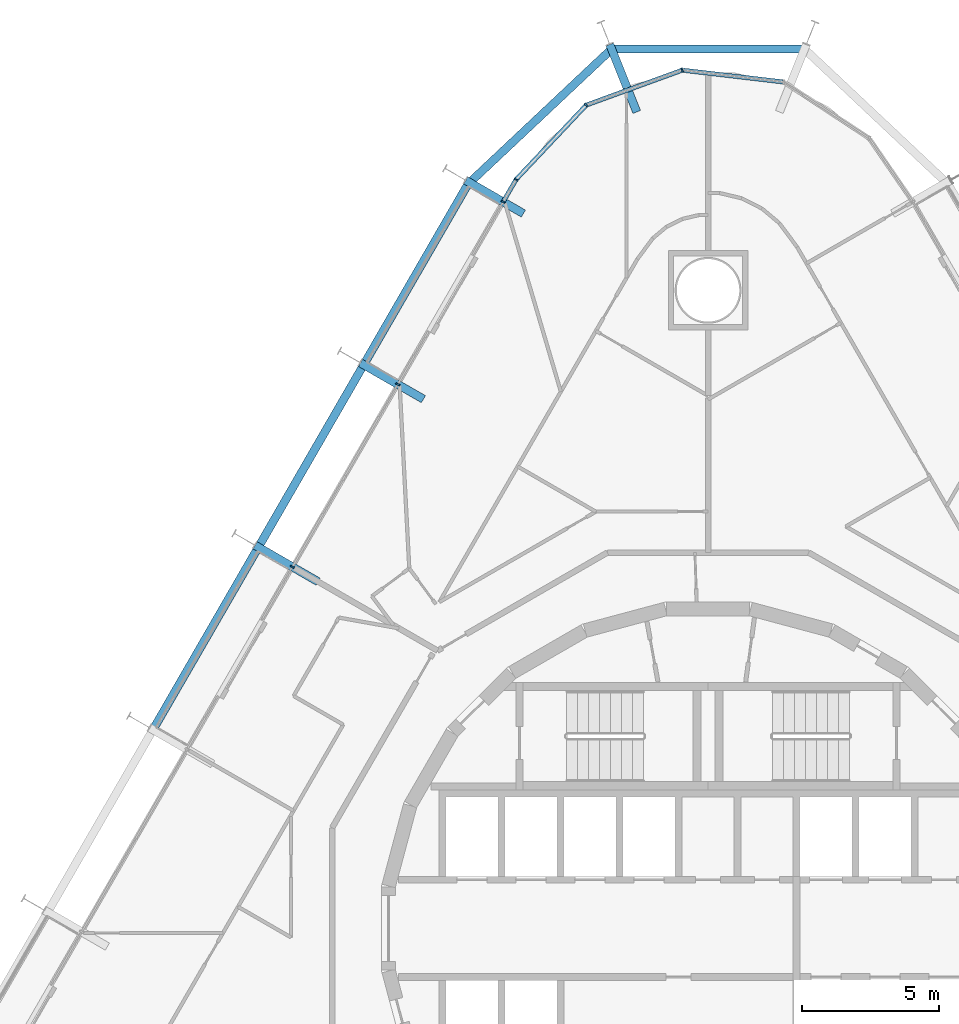
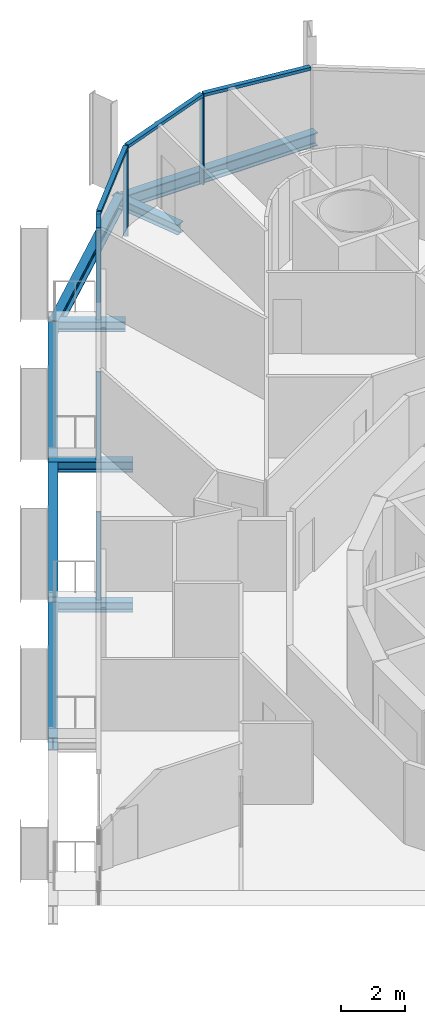
# One storey, part 9 of 21: 10 members, 9 beams, 2 elements without a shape of their own.
"""IFC4 building model written with IfcOpenShell, lengths in metres."""

from ifc_helpers import new_model, si_unit, direction, frame, origin, origin_2d, place, context, subcontext, project, spatial, rectangle, i_section, extrude, material, layer, layer_set, material_profile, profile_set, type_object, element, aggregate, save


model = new_model("IFC4")

# Units and contexts
model_context = context("Model", 3, precision=1e-05, world=origin(), true_north=direction((0.0, 1.0)))
body_context = subcontext(model_context, "Body", "Model", "MODEL_VIEW")
ifc_project = project(units=[si_unit("LENGTHUNIT", "METRE"), si_unit("AREAUNIT", "SQUARE_METRE"), si_unit("VOLUMEUNIT", "CUBIC_METRE"), si_unit("PLANEANGLEUNIT", "RADIAN"), si_unit("MASSUNIT", "GRAM", prefix="KILO")], contexts=[model_context])

# Site, building, storey
site_placement = place(None, origin())
site = spatial("IfcSite", under=ifc_project, at=site_placement, CompositionType="ELEMENT")
building_placement = place(site_placement, origin())
building = spatial("IfcBuilding", under=site, at=building_placement, Name="Spindle Arch Residences", CompositionType="ELEMENT")
storey_placement = place(building_placement, frame((0.0, 0.0, 48.89990234375)))
storey = spatial("IfcBuildingStorey", under=building, at=storey_placement, Name="L10", CompositionType="ELEMENT", Elevation=48.89990234375)

# Curtain wall, members
ifc_material_1 = material(Name="Aluminium bronze unitised frame with tinted glass", Category="aluminium")
ifc_layer_1 = layer(ifc_material_1, 0.159912109375)
ifc_layer_set_1 = layer_set([ifc_layer_1], Name="CW-D corner wall on the fillet arcs")
curtain_wall_type_1 = type_object("IfcCurtainWallType", Name="CW-D corner wall on the fillet arcs", PredefinedType="NOTDEFINED", material=ifc_layer_set_1)
curtain_wall_1_placement = place(storey_placement, origin())
curtain_wall_1 = element("IfcCurtainWall", 1, at=curtain_wall_1_placement, inside=storey, type_object=curtain_wall_type_1, Name="CW-D L10 run 3", PredefinedType="NOTDEFINED")
ifc_material_2 = material(Name="Aluminium bronze anodised mullion", Category="aluminium")
ifc_material_profile_1 = material_profile(ifc_material_2, rectangle(XDim=0.159912109375, YDim=0.06005859375, at=origin_2d()), Name="MU 60x160")
ifc_profile_set_1 = profile_set([ifc_material_profile_1], Name="Aluminium bronze anodised mullion")
member_type_1 = type_object("IfcMemberType", Name="Bronze mullion 60x160", PredefinedType="MULLION", material=ifc_profile_set_1)
member_1_placement = place(storey_placement, frame((-0.93798828125, 31.28515625, -0.3798828125), z_axis=(0.0, 0.0, 1.0), x_axis=(0.342020141538, -0.939692621437, 0.0)))
member_1 = element("IfcMember", 2, at=member_1_placement, type_object=member_type_1, Name="CW-D mullion 03", PredefinedType="MULLION", context=body_context, shape_type="SweptSolid", body=[
    extrude(rectangle(XDim=0.159912109375, YDim=0.06005859375, at=origin_2d()), origin(), (0.0, 0.0, 1.0), 3.3798828125),
])
member_2_placement = place(storey_placement, frame((-4.43994140625, 30.010498046875, -0.3798828125), z_axis=(0.0, 0.0, 1.0), x_axis=(0.727373640284, -0.686241639236, 0.0)))
member_2 = element("IfcMember", 3, at=member_2_placement, type_object=member_type_1, Name="CW-D mullion 04", PredefinedType="MULLION", context=body_context, shape_type="SweptSolid", body=[
    extrude(rectangle(XDim=0.159912109375, YDim=0.06005859375, at=origin_2d()), origin(), (0.0, 0.0, 1.0), 3.3798828125),
])
member_3_placement = place(storey_placement, frame((-6.99755859375, 27.2998046875, -0.3798828125), z_axis=(0.0, 0.0, 1.0), x_axis=(0.866025403784, -0.5, 0.0)))
member_3 = element("IfcMember", 4, at=member_3_placement, type_object=member_type_1, Name="CW-D mullion 05", PredefinedType="MULLION", context=body_context, shape_type="SweptSolid", body=[
    extrude(rectangle(XDim=0.159912109375, YDim=0.06005859375, at=origin_2d()), origin(), (0.0, 0.0, 1.0), 3.3798828125),
])

ifc_material_3 = material(Name="Aluminium bronze unitised frame with tinted glass", Category="aluminium")
ifc_layer_2 = layer(ifc_material_3, 0.159912109375)
ifc_layer_set_2 = layer_set([ifc_layer_2], Name="CW-C typical residential unitised wall")
curtain_wall_type_2 = type_object("IfcCurtainWallType", Name="CW-C typical residential unitised wall", PredefinedType="NOTDEFINED", material=ifc_layer_set_2)
curtain_wall_2_placement = place(storey_placement, origin())
curtain_wall_2 = element("IfcCurtainWall", 5, at=curtain_wall_2_placement, inside=storey, type_object=curtain_wall_type_2, Name="CW-C L10 run 4", PredefinedType="NOTDEFINED")
member_4_placement = place(storey_placement, frame((-7.46923828125, 26.48291015625, -0.3798828125), z_axis=(0.0, 0.0, 1.0), x_axis=(0.866025403784, -0.5, 0.0)))
member_4 = element("IfcMember", 6, at=member_4_placement, type_object=member_type_1, Name="CW-C mullion 13", PredefinedType="MULLION", context=body_context, shape_type="SweptSolid", body=[
    extrude(rectangle(XDim=0.159912109375, YDim=0.06005859375, at=origin_2d()), origin(), (0.0, 0.0, 1.0), 3.3798828125),
])
member_5_placement = place(storey_placement, frame((-11.309326171875, 19.83154296875, -0.3798828125), z_axis=(0.0, 0.0, 1.0), x_axis=(0.866025403784, -0.5, 0.0)))
member_5 = element("IfcMember", 7, at=member_5_placement, type_object=member_type_1, Name="CW-C mullion 14", PredefinedType="MULLION", context=body_context, shape_type="SweptSolid", body=[
    extrude(rectangle(XDim=0.159912109375, YDim=0.06005859375, at=origin_2d()), origin(), (0.0, 0.0, 1.0), 3.3798828125),
])
member_6_placement = place(storey_placement, frame((-15.149169921875, 13.180419921875, -0.3798828125), z_axis=(0.0, 0.0, 1.0), x_axis=(0.866025403784, -0.5, 0.0)))
member_6 = element("IfcMember", 8, at=member_6_placement, type_object=member_type_1, Name="CW-C mullion 15", PredefinedType="MULLION", context=body_context, shape_type="SweptSolid", body=[
    extrude(rectangle(XDim=0.159912109375, YDim=0.06005859375, at=origin_2d()), origin(), (0.0, 0.0, 1.0), 3.3798828125),
])
aggregate(curtain_wall_2, [member_4, member_5, member_6])

# Member
ifc_material_4 = material(Name="Aluminium bronze anodised transom", Category="aluminium")
ifc_material_profile_2 = material_profile(ifc_material_4, rectangle(XDim=0.159912109375, YDim=0.1201171875, at=origin_2d()), Name="TR 120x160")
ifc_profile_set_2 = profile_set([ifc_material_profile_2], Name="Aluminium bronze anodised transom")
member_type_2 = type_object("IfcMemberType", Name="Bronze transom 120x160", PredefinedType="USERDEFINED", material=ifc_profile_set_2)
member_7_placement = place(storey_placement, frame((2.733642578125, 30.85595703125, 3.06005859375), z_axis=(-0.993234881174, 0.116122654204, 0.0), x_axis=(-0.116122654204, -0.993234881174, 0.0)))
member_7 = element("IfcMember", 9, at=member_7_placement, type_object=member_type_2, Name="CW-D transom 02", ObjectType="TRANSOM", PredefinedType="USERDEFINED", context=body_context, shape_type="SweptSolid", body=[
    extrude(rectangle(XDim=0.159912109375, YDim=0.1201171875, at=origin_2d()), origin(), (0.0, 0.0, 1.0), 3.666748046875),
])

member_8_placement = place(storey_placement, frame((-0.96630859375, 31.27490234375, 3.06005859375), z_axis=(-0.939686455819, -0.342037080957, 0.0), x_axis=(0.342037080957, -0.939686455819, 0.0)))
member_8 = element("IfcMember", 10, at=member_8_placement, type_object=member_type_2, Name="CW-D transom 03", ObjectType="TRANSOM", PredefinedType="USERDEFINED", context=body_context, shape_type="SweptSolid", body=[
    extrude(rectangle(XDim=0.159912109375, YDim=0.1201171875, at=origin_2d()), origin(), (0.0, 0.0, 1.0), 3.666748046875),
])

member_9_placement = place(storey_placement, frame((-4.460693359375, 29.98876953125, 3.06005859375), z_axis=(-0.686199156324, -0.727413718498, 0.0), x_axis=(0.727413718498, -0.686199156324, 0.0)))
member_9 = element("IfcMember", 11, at=member_9_placement, type_object=member_type_2, Name="CW-D transom 04", ObjectType="TRANSOM", PredefinedType="USERDEFINED", context=body_context, shape_type="SweptSolid", body=[
    extrude(rectangle(XDim=0.159912109375, YDim=0.1201171875, at=origin_2d()), origin(), (0.0, 0.0, 1.0), 3.666748046875),
])

member_10_placement = place(storey_placement, frame((-7.012451171875, 27.27392578125, 3.06005859375), z_axis=(-0.499913830031, -0.866075148324, 0.0), x_axis=(0.866075148324, -0.499913830031, 0.0)))
member_10 = element("IfcMember", 12, at=member_10_placement, type_object=member_type_2, Name="CW-D transom 05", ObjectType="TRANSOM", PredefinedType="USERDEFINED", context=body_context, shape_type="SweptSolid", body=[
    extrude(rectangle(XDim=0.159912109375, YDim=0.1201171875, at=origin_2d()), origin(), (0.0, 0.0, 1.0), 0.883544921875),
])

aggregate(curtain_wall_1, [member_7, member_1, member_8, member_2, member_9, member_3, member_10])

# Beams
ifc_material_5 = material(Name="Steel S460ML, intumescent coating R 120", Category="steel")
ifc_material_profile_3 = material_profile(ifc_material_5, i_section(OverallWidth=0.300048828125, OverallDepth=0.5, WebThickness=0.014404296875, FlangeThickness=0.028076171875, FilletRadius=0.027099609375, at=origin_2d()), Name="HEB 500")
ifc_profile_set_3 = profile_set([ifc_material_profile_3], Name="Steel S460ML, intumescent coating R 120")
beam_type_1 = type_object("IfcBeamType", Name="Exoskeleton edge beam HEB 500", PredefinedType="BEAM", material=ifc_profile_set_3)
beam_1_placement = place(storey_placement, frame((3.6181640625, 32.051513671875, -0.6298828125), z_axis=(-1.0, 0.0, 0.0), x_axis=(0.0, -1.0, 0.0)))
element("IfcBeam", 13, at=beam_1_placement, inside=storey, type_object=beam_type_1, Name="Exoskeleton edge beam 12", PredefinedType="BEAM", context=body_context, shape_type="SweptSolid", body=[
    extrude(i_section(OverallWidth=0.300048828125, OverallDepth=0.5, WebThickness=0.014404296875, FlangeThickness=0.028076171875, FilletRadius=0.027099609375, at=origin_2d()), origin(), (0.0, 0.0, 1.0), 7.236328125),
])
beam_2_placement = place(storey_placement, frame((-3.45849609375, 32.105712890625, -0.6298828125), z_axis=(-0.728394714383, -0.685157748303, 0.0), x_axis=(0.685157748303, -0.728394714383, 0.0)))
element("IfcBeam", 14, at=beam_2_placement, inside=storey, type_object=beam_type_1, Name="Exoskeleton edge beam 13", PredefinedType="BEAM", context=body_context, shape_type="SweptSolid", body=[
    extrude(i_section(OverallWidth=0.300048828125, OverallDepth=0.5, WebThickness=0.014404296875, FlangeThickness=0.028076171875, FilletRadius=0.027099609375, at=origin_2d()), origin(), (0.0, 0.0, 1.0), 7.250244140625),
])
beam_3_placement = place(storey_placement, frame((-8.775146484375, 27.086669921875, -0.6298828125), z_axis=(-0.500003477455, -0.866023396066, 0.0), x_axis=(0.866023396066, -0.500003477455, 0.0)))
element("IfcBeam", 15, at=beam_3_placement, inside=storey, type_object=beam_type_1, Name="Exoskeleton edge beam 14", PredefinedType="BEAM", context=body_context, shape_type="SweptSolid", body=[
    extrude(i_section(OverallWidth=0.300048828125, OverallDepth=0.5, WebThickness=0.014404296875, FlangeThickness=0.028076171875, FilletRadius=0.027099609375, at=origin_2d()), origin(), (0.0, 0.0, 1.0), 7.419921875),
])
for number, where, z_axis, x_axis, name in (
    (16, (-12.615234375, 20.435546875, -0.6298828125), (-0.49998923004, -0.866031621735, 0.0), (0.866031621735, -0.49998923004, 0.0), "Exoskeleton edge beam 15"),
    (17, (-16.455078125, 13.784423828125, -0.6298828125), (-0.5000139068, -0.866017374541, 0.0), (0.866017374541, -0.5000139068, 0.0), "Exoskeleton edge beam 16"),
):
    element("IfcBeam", number, at=place(storey_placement, frame(where, z_axis=z_axis, x_axis=x_axis)), inside=storey, type_object=beam_type_1, Name=name, PredefinedType="BEAM", context=body_context, shape_type="SweptSolid", body=[
        extrude(i_section(OverallWidth=0.300048828125, OverallDepth=0.5, WebThickness=0.014404296875, FlangeThickness=0.028076171875, FilletRadius=0.027099609375, at=origin_2d()), origin(), (0.0, 0.0, 1.0), 7.420166015625),
    ])
ifc_material_6 = material(Name="Steel S460ML, intumescent coating R 120", Category="steel")
ifc_material_profile_4 = material_profile(ifc_material_6, i_section(OverallWidth=0.300048828125, OverallDepth=0.389892578125, WebThickness=0.010986328125, FlangeThickness=0.01904296875, FilletRadius=0.027099609375, at=origin_2d()), Name="HEA 400")
ifc_profile_set_4 = profile_set([ifc_material_profile_4], Name="Steel S460ML, intumescent coating R 120")
beam_type_2 = type_object("IfcBeamType", Name="Floor outrigger HEA 400", PredefinedType="BEAM", material=ifc_profile_set_4)
beam_4_placement = place(storey_placement, frame((-3.581298828125, 32.220703125, -0.574951171875), z_axis=(0.371104734129, -0.928591016706, 0.0), x_axis=(0.928591016706, 0.371104734129, 0.0)))
element("IfcBeam", 18, at=beam_4_placement, inside=storey, type_object=beam_type_2, Name="Floor outrigger 13", PredefinedType="BEAM", context=body_context, shape_type="SweptSolid", body=[
    extrude(i_section(OverallWidth=0.300048828125, OverallDepth=0.389892578125, WebThickness=0.010986328125, FlangeThickness=0.01904296875, FilletRadius=0.027099609375, at=origin_2d()), origin(), (0.0, 0.0, 1.0), 2.64990234375),
])
beam_5_placement = place(storey_placement, frame((-8.828857421875, 27.267822265625, -0.574951171875), z_axis=(0.866002732682, -0.500039265445, 0.0), x_axis=(0.500039265445, 0.866002732682, 0.0)))
element("IfcBeam", 19, at=beam_5_placement, inside=storey, type_object=beam_type_2, Name="Floor outrigger 14", PredefinedType="BEAM", context=body_context, shape_type="SweptSolid", body=[
    extrude(i_section(OverallWidth=0.300048828125, OverallDepth=0.389892578125, WebThickness=0.010986328125, FlangeThickness=0.01904296875, FilletRadius=0.027099609375, at=origin_2d()), origin(), (0.0, 0.0, 1.0), 2.423583984375),
])
for number, where, z_axis, x_axis, name in (
    (20, (-12.6689453125, 20.61669921875, -0.574951171875), (0.866052124492, -0.499953715521, 0.0), (0.499953715521, 0.866052124492, 0.0), "Floor outrigger 15"),
    (21, (-16.5087890625, 13.965576171875, -0.574951171875), (0.865989200783, -0.500062700197, 0.0), (0.500062700197, 0.865989200783, 0.0), "Floor outrigger 16"),
):
    element("IfcBeam", number, at=place(storey_placement, frame(where, z_axis=z_axis, x_axis=x_axis)), inside=storey, type_object=beam_type_2, Name=name, PredefinedType="BEAM", context=body_context, shape_type="SweptSolid", body=[
        extrude(i_section(OverallWidth=0.300048828125, OverallDepth=0.389892578125, WebThickness=0.010986328125, FlangeThickness=0.01904296875, FilletRadius=0.027099609375, at=origin_2d()), origin(), (0.0, 0.0, 1.0), 2.650146484375),
    ])

save(model, "model.ifc")
